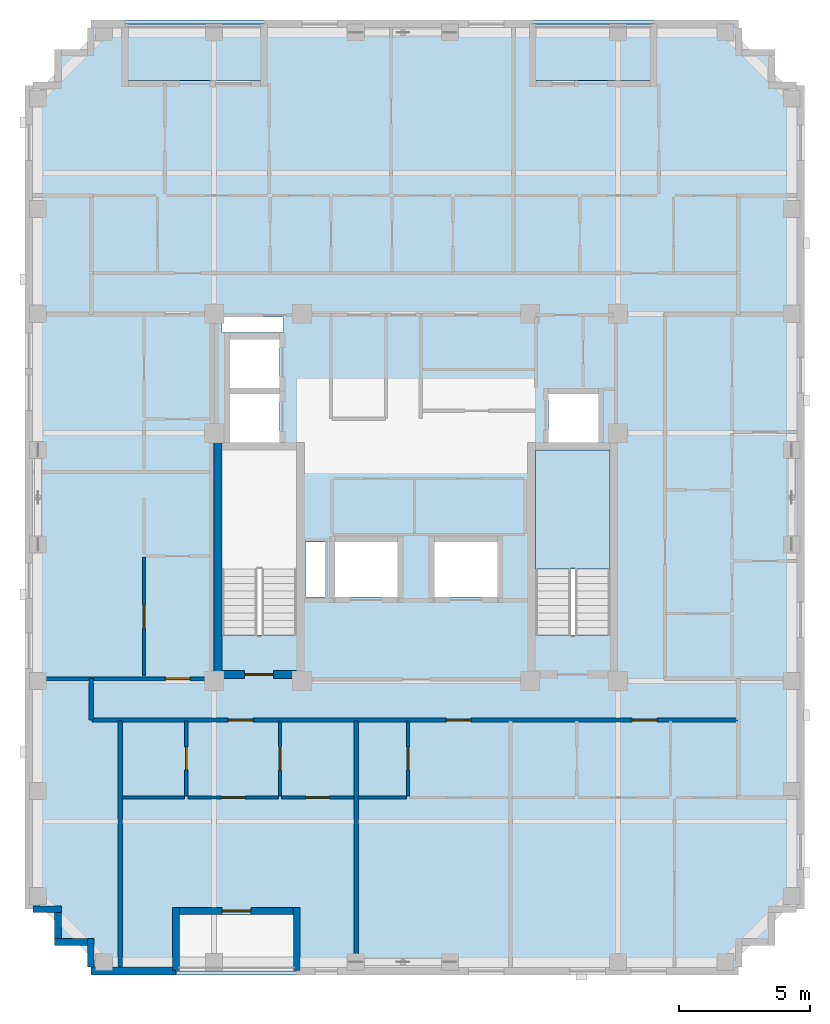
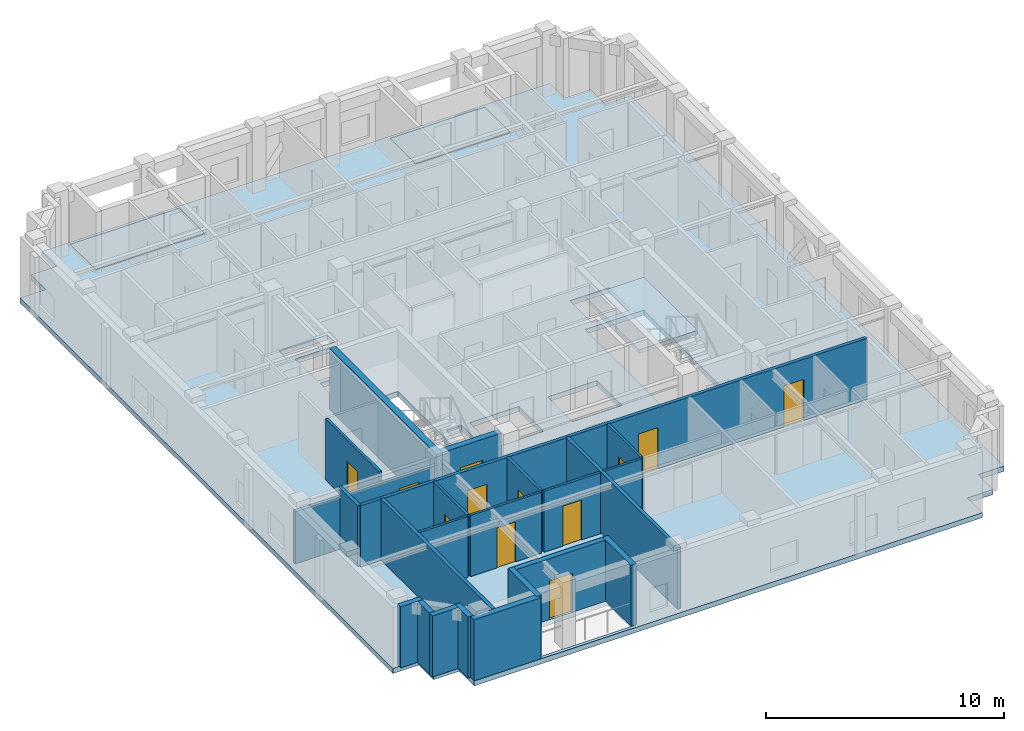
# One storey, part 2 of 11: 23 walls, 12 doors, 4 slabs, 12 openings, 1 element without a shape of its own.
"""IFC4 building model written with IfcOpenShell, lengths in metres."""

from ifc_helpers import new_model, si_unit, derived_unit, direction, frame, frame_2d, origin, place, context, subcontext, project, spatial, polyline, rectangle, outline, extrude, material, layer, layer_set, type_object, element, fill, aggregate, save


model = new_model("IFC4")

# Units and contexts
model_context = context("Model", 3, precision=1e-05, world=origin(), true_north=direction((0.0, 1.0)))
body_context = subcontext(model_context, "Body", "Model", "MODEL_VIEW")
ifc_project = project(units=[si_unit("LENGTHUNIT", "METRE"), si_unit("AREAUNIT", "SQUARE_METRE"), si_unit("VOLUMEUNIT", "CUBIC_METRE"), si_unit("PLANEANGLEUNIT", "RADIAN"), si_unit("MASSUNIT", "GRAM", prefix="KILO"), derived_unit("THERMALTRANSMITTANCEUNIT", [(si_unit("MASSUNIT", "GRAM", prefix="KILO"), 1), (si_unit("TIMEUNIT", "SECOND"), -3), (si_unit("THERMODYNAMICTEMPERATUREUNIT", "KELVIN"), -1)])], contexts=[model_context])

# Site, building, storey
site_placement = place(None, origin())
site = spatial("IfcSite", under=ifc_project, at=site_placement, CompositionType="ELEMENT")
building_placement = place(site_placement, origin())
building = spatial("IfcBuilding", under=site, at=building_placement, Name="Korrvale Station Residences", CompositionType="ELEMENT")
storey_placement = place(building_placement, frame((0.0, 0.0, 254.699951171875)))
storey = spatial("IfcBuildingStorey", under=building, at=storey_placement, Name="L74", CompositionType="ELEMENT", Elevation=254.699951171875)

# Slabs
ifc_material_1 = material(Name="Concrete C50/60", Category="concrete")
ifc_layer_1 = layer(ifc_material_1, 0.219970703125, Name="Concrete C50/60")
ifc_layer_set_1 = layer_set([ifc_layer_1], Name="Concrete C50/60")
slab_type_1 = type_object("IfcSlabType", Name="SLB-BAL-220", PredefinedType="FLOOR", material=ifc_layer_set_1)
slab_1_placement = place(storey_placement, frame((0.0, 0.0, -0.219970703125)))
element("IfcSlab", 1, at=slab_1_placement, inside=storey, type_object=slab_type_1, Name="L74 Recessed Loggia Balcony Slab BAL-L74-N1", PredefinedType="FLOOR", context=body_context, shape_type="SweptSolid", body=[
    extrude(outline(polyline([(29.949951171875, 37.89990234375), (34.550048828125, 37.89990234375), (34.550048828125, 40.050048828125), (29.949951171875, 40.050048828125), (29.949951171875, 37.89990234375)])), origin(), (0.0, 0.0, 1.0), 0.219970703125),
])
slab_2_placement = place(storey_placement, frame((0.0, 0.0, -0.219970703125)))
element("IfcSlab", 2, at=slab_2_placement, inside=storey, type_object=slab_type_1, Name="L74 Recessed Loggia Balcony Slab BAL-L74-N2", PredefinedType="FLOOR", context=body_context, shape_type="SweptSolid", body=[
    extrude(outline(polyline([(14.39990234375, 37.89990234375), (19.699951171875, 37.89990234375), (19.699951171875, 40.050048828125), (14.39990234375, 40.050048828125), (14.39990234375, 37.89990234375)])), origin(), (0.0, 0.0, 1.0), 0.219970703125),
])
ifc_layer_2 = layer(ifc_material_1, 0.260009765625, Name="Concrete C50/60")
ifc_layer_set_2 = layer_set([ifc_layer_2], Name="Concrete C50/60")
slab_type_2 = type_object("IfcSlabType", Name="SLB-FLR-260", PredefinedType="FLOOR", material=ifc_layer_set_2)
slab_3_placement = place(storey_placement, frame((0.0, 0.0, -0.260009765625)))
element("IfcSlab", 3, at=slab_3_placement, inside=storey, type_object=slab_type_2, Name="L74 Suspended Structural Floor Slab", PredefinedType="FLOOR", context=body_context, shape_type="SweptSolid", body=[
    extrude(outline(polyline([(13.10009765625, 3.800048828125), (37.800048828125, 3.800048828125), (37.800048828125, 5.050048828125), (39.050048828125, 5.050048828125), (39.050048828125, 6.300048828125), (40.300048828125, 6.300048828125), (40.300048828125, 37.699951171875), (39.050048828125, 37.699951171875), (39.050048828125, 38.949951171875), (37.800048828125, 38.949951171875), (37.800048828125, 40.199951171875), (13.10009765625, 40.199951171875), (13.10009765625, 38.949951171875), (11.85009765625, 38.949951171875), (11.85009765625, 37.699951171875), (10.60009765625, 37.699951171875), (10.60009765625, 6.300048828125), (11.85009765625, 6.300048828125), (11.85009765625, 5.050048828125), (13.10009765625, 5.050048828125), (13.10009765625, 3.800048828125)]), holes=[polyline([(20.949951171875, 16.751953125), (20.949951171875, 23.800048828125), (18.10009765625, 23.800048828125), (18.10009765625, 16.751953125), (20.949951171875, 16.751953125)]), polyline([(32.89990234375, 16.751953125), (32.89990234375, 23.800048828125), (30.050048828125, 23.800048828125), (30.050048828125, 16.751953125), (32.89990234375, 16.751953125)]), polyline([(18.39990234375, 24.10009765625), (20.300048828125, 24.10009765625), (20.300048828125, 25.949951171875), (18.39990234375, 25.949951171875), (18.39990234375, 24.10009765625)]), polyline([(18.39990234375, 26.169921875), (20.300048828125, 26.169921875), (20.300048828125, 28.02001953125), (18.39990234375, 28.02001953125), (18.39990234375, 26.169921875)]), polyline([(30.550048828125, 24.10009765625), (32.449951171875, 24.10009765625), (32.449951171875, 25.949951171875), (30.550048828125, 25.949951171875), (30.550048828125, 24.10009765625)]), polyline([(22.39990234375, 18.199951171875), (24.800048828125, 18.199951171875), (24.800048828125, 20.300048828125), (22.39990234375, 20.300048828125), (22.39990234375, 18.199951171875)]), polyline([(26.199951171875, 18.199951171875), (28.60009765625, 18.199951171875), (28.60009765625, 20.300048828125), (26.199951171875, 20.300048828125), (26.199951171875, 18.199951171875)]), polyline([(18.10009765625, 28.280029296875), (20.449951171875, 28.280029296875), (20.449951171875, 28.8798828125), (18.10009765625, 28.8798828125), (18.10009765625, 28.280029296875)]), polyline([(21.280029296875, 18.199951171875), (22.02001953125, 18.199951171875), (22.02001953125, 20.300048828125), (21.280029296875, 20.300048828125), (21.280029296875, 18.199951171875)]), polyline([(16.35009765625, 3.949951171875), (20.949951171875, 3.949951171875), (20.949951171875, 6.10009765625), (16.35009765625, 6.10009765625), (16.35009765625, 3.949951171875)]), polyline([(29.949951171875, 37.89990234375), (34.550048828125, 37.89990234375), (34.550048828125, 40.050048828125), (29.949951171875, 40.050048828125), (29.949951171875, 37.89990234375)]), polyline([(14.39990234375, 37.89990234375), (19.699951171875, 37.89990234375), (19.699951171875, 40.050048828125), (14.39990234375, 40.050048828125), (14.39990234375, 37.89990234375)])]), origin(), (0.0, 0.0, 1.0), 0.260009765625),
])

# Stair, slab
stair_type = type_object("IfcStairType", Name="STR-DL-1350-20R-1700", PredefinedType="HALF_TURN_STAIR", material=ifc_material_1)
stair_placement = place(storey_placement, origin())
stair = element("IfcStair", 4, at=stair_placement, inside=storey, type_object=stair_type, Name="L74 Exit Stair 2", PredefinedType="HALF_TURN_STAIR")
ifc_layer_3 = layer(ifc_material_1, 0.199951171875, Name="Concrete C50/60")
ifc_layer_set_3 = layer_set([ifc_layer_3], Name="Concrete C50/60")
slab_type_3 = type_object("IfcSlabType", Name="SLB-LND-200", PredefinedType="LANDING", material=ifc_layer_set_3)
slab_4_placement = place(storey_placement, frame((0.0, 0.0, 1.5)))
slab_4 = element("IfcSlab", 5, at=slab_4_placement, type_object=slab_type_3, Name="ST-2 landing 1", PredefinedType="LANDING", context=body_context, shape_type="SweptSolid", body=[
    extrude(outline(polyline([(32.89990234375, 19.27001953125), (32.89990234375, 23.800048828125), (30.050048828125, 23.800048828125), (30.050048828125, 19.27001953125), (32.89990234375, 19.27001953125)])), origin(), (0.0, 0.0, 1.0), 0.199951171875),
])
aggregate(stair, [slab_4])

# Wall
ifc_layer_4 = layer(ifc_material_1, 0.300048828125, Name="Concrete C50/60")
ifc_layer_set_4 = layer_set([ifc_layer_4], Name="Concrete C50/60")
wall_type_1 = type_object("IfcWallType", Name="WAL-CORE-300-C50", PredefinedType="SHEAR", material=ifc_layer_set_4)
wall_1_placement = place(storey_placement, frame((17.949951171875, 15.10009765625, 0.0), z_axis=(0.0, 0.0, 1.0), x_axis=(0.0, 1.0, 0.0)))
element("IfcWall", 6, at=wall_1_placement, inside=storey, type_object=wall_type_1, Name="L74 ST-1 Core Shear Wall West", PredefinedType="SHEAR", context=body_context, shape_type="SweptSolid", body=[
    extrude(rectangle(XDim=9.0, YDim=0.300048828125, at=frame_2d((4.5, 0.0))), origin(), (0.0, 0.0, 1.0), 3.14013671875),
])

# Wall, opening, door
wall_2_placement = place(storey_placement, frame((18.10009765625, 15.25, 0.0), z_axis=(0.0, 0.0, 1.0), x_axis=(1.0, 0.0, 0.0)))
wall_2 = element("IfcWall", 7, at=wall_2_placement, inside=storey, type_object=wall_type_1, Name="L74 ST-1 Core Shear Wall South", PredefinedType="SHEAR", context=body_context, shape_type="SweptSolid", body=[
    extrude(rectangle(XDim=2.849853515625, YDim=0.300048828125, at=frame_2d((1.4248046875, 0.0))), origin(), (0.0, 0.0, 1.0), 3.14013671875),
])
opening_1_placement = place(wall_2_placement, frame((0.860107421875, 0.0, 0.0)))
opening_1 = element("IfcOpeningElement", 8, at=opening_1_placement, cuts=wall_2, Name="Opening SD-1100", PredefinedType="OPENING", context=body_context, shape_type="SweptSolid", body=[
    extrude(rectangle(XDim=1.10009765625, YDim=2.050048828125, at=frame_2d((0.550048828125, 1.02490234375))), frame((0.0, 0.16015625, 0.0), z_axis=(0.0, -1.0, 0.0), x_axis=(1.0, 0.0, 0.0)), (0.0, 0.0, 1.0), 0.320068359375),
])
ifc_material_2 = material(Name="Hollow-metal fire-rated stair door with closer", Category="steel")
door_type_1 = type_object("IfcDoorType", Name="DR-STAIR-1100", OperationType="NOTDEFINED", PredefinedType="DOOR", material=ifc_material_2)
door_1_placement = place(opening_1_placement, origin())
door_1 = element("IfcDoor", 9, at=door_1_placement, inside=storey, type_object=door_type_1, Name="L74 ST-1 Exit Stair Door", OperationType="SINGLE_SWING_LEFT", OverallHeight=2.050048828125, OverallWidth=1.10009765625, PredefinedType="DOOR", context=body_context, shape_type="SweptSolid", body=[
    extrude(rectangle(XDim=1.10009765625, YDim=2.050048828125, at=frame_2d((0.550048828125, 1.02490234375))), frame((0.0, 0.02490234375, 0.0), z_axis=(0.0, -1.0, 0.0), x_axis=(1.0, 0.0, 0.0)), (0.0, 0.0, 1.0), 0.050048828125),
])
fill(opening_1, door_1)

# Wall
ifc_material_3 = material(Name="Precast concrete C45/55", Category="concrete")
ifc_layer_5 = layer(ifc_material_3, 0.260009765625, Name="Precast concrete C45/55")
ifc_layer_set_5 = layer_set([ifc_layer_5], Name="Precast concrete C45/55")
wall_type_2 = type_object("IfcWallType", Name="WAL-EXT-LOG260", PredefinedType="SOLIDWALL", material=ifc_layer_set_5)
wall_3_placement = place(storey_placement, frame((20.949951171875, 3.9599609375, 0.0), z_axis=(0.0, 0.0, 1.0), x_axis=(0.0, 1.0, 0.0)))
element("IfcWall", 10, at=wall_3_placement, inside=storey, type_object=wall_type_2, Name="L74 Recessed Loggia Wall BAL-L74-S1-L", PredefinedType="SOLIDWALL", context=body_context, shape_type="SweptSolid", body=[
    extrude(rectangle(XDim=2.400146484375, YDim=0.260009765625, at=frame_2d((1.2001953125, 0.0))), origin(), (0.0, 0.0, 1.0), 3.14013671875),
])

# Wall, opening, door
wall_4_placement = place(storey_placement, frame((20.81591796875, 6.22998046875, 0.0), z_axis=(0.0, 0.0, 1.0), x_axis=(-1.0, 0.0, 0.0)))
wall_4 = element("IfcWall", 11, at=wall_4_placement, inside=storey, type_object=wall_type_2, Name="L74 Recessed Loggia Wall BAL-L74-S1-B", PredefinedType="SOLIDWALL", context=body_context, shape_type="SweptSolid", body=[
    extrude(rectangle(XDim=4.33203125, YDim=0.260009765625, at=frame_2d((2.166015625, 0.0))), origin(), (0.0, 0.0, 1.0), 3.14013671875),
])
opening_2_placement = place(wall_4_placement, frame((1.615966796875, 0.0, 0.0)))
opening_2 = element("IfcOpeningElement", 12, at=opening_2_placement, cuts=wall_4, Name="Opening BD-01", PredefinedType="OPENING", context=body_context, shape_type="SweptSolid", body=[
    extrude(rectangle(XDim=1.10009765625, YDim=2.0, at=frame_2d((0.550048828125, 1.0))), frame((0.0, 0.14013671875, 0.0), z_axis=(0.0, -1.0, 0.0), x_axis=(1.0, 0.0, 0.0)), (0.0, 0.0, 1.0), 0.280029296875),
])
ifc_material_4 = material(Name="Exterior thermally broken aluminium glazed balcony door", Category="aluminium")
door_type_2 = type_object("IfcDoorType", Name="DR-EXT-BAL", OperationType="NOTDEFINED", PredefinedType="DOOR", material=ifc_material_4)
door_2_placement = place(opening_2_placement, origin())
door_2 = element("IfcDoor", 13, at=door_2_placement, inside=storey, type_object=door_type_2, Name="L74 Loggia Balcony Door BAL-L74-S1", OperationType="SINGLE_SWING_RIGHT", OverallHeight=2.0, OverallWidth=1.10009765625, PredefinedType="DOOR", context=body_context, shape_type="SweptSolid", body=[
    extrude(rectangle(XDim=1.10009765625, YDim=2.0, at=frame_2d((0.550048828125, 1.0))), frame((0.0, 0.02490234375, 0.0), z_axis=(0.0, -1.0, 0.0), x_axis=(1.0, 0.0, 0.0)), (0.0, 0.0, 1.0), 0.050048828125),
])
fill(opening_2, door_2)

# Walls
wall_5_placement = place(storey_placement, frame((16.35009765625, 6.360107421875, 0.0), z_axis=(0.0, 0.0, 1.0), x_axis=(0.0, -1.0, 0.0)))
element("IfcWall", 14, at=wall_5_placement, inside=storey, type_object=wall_type_2, Name="L74 Recessed Loggia Wall BAL-L74-S1-R", PredefinedType="SOLIDWALL", context=body_context, shape_type="SweptSolid", body=[
    extrude(rectangle(XDim=2.400146484375, YDim=0.260009765625, at=frame_2d((1.2001953125, 0.0))), origin(), (0.0, 0.0, 1.0), 3.14013671875),
])
wall_6_placement = place(storey_placement, frame((13.10009765625, 4.10205078125, 0.0), z_axis=(0.0, 0.0, 1.0), x_axis=(0.0, 1.0, 0.0)))
element("IfcWall", 15, at=wall_6_placement, inside=storey, type_object=wall_type_2, Name="L74 Serrated Corner Precast Step SW-1", PredefinedType="SOLIDWALL", context=body_context, shape_type="SweptSolid", body=[
    extrude(rectangle(XDim=1.077880859375, YDim=0.260009765625, at=frame_2d((0.5390625, 0.0))), origin(), (0.0, 0.0, 1.0), 3.14013671875),
])
wall_7_placement = place(storey_placement, frame((12.968017578125, 5.050048828125, 0.0), z_axis=(0.0, 0.0, 1.0), x_axis=(-1.0, 0.0, 0.0)))
element("IfcWall", 16, at=wall_7_placement, inside=storey, type_object=wall_type_2, Name="L74 Serrated Corner Precast Step SW-2", PredefinedType="SOLIDWALL", context=body_context, shape_type="SweptSolid", body=[
    extrude(rectangle(XDim=1.248046875, YDim=0.260009765625, at=frame_2d((0.6240234375, 0.0))), origin(), (0.0, 0.0, 1.0), 3.14013671875),
])
wall_8_placement = place(storey_placement, frame((11.85009765625, 5.181884765625, 0.0), z_axis=(0.0, 0.0, 1.0), x_axis=(0.0, 1.0, 0.0)))
element("IfcWall", 17, at=wall_8_placement, inside=storey, type_object=wall_type_2, Name="L74 Serrated Corner Precast Step SW-3", PredefinedType="SOLIDWALL", context=body_context, shape_type="SweptSolid", body=[
    extrude(rectangle(XDim=0.986083984375, YDim=0.260009765625, at=frame_2d((0.4931640625, 0.0))), origin(), (0.0, 0.0, 1.0), 3.14013671875),
])
wall_9_placement = place(storey_placement, frame((11.97998046875, 6.300048828125, 0.0), z_axis=(0.0, 0.0, 1.0), x_axis=(-1.0, 0.0, 0.0)))
element("IfcWall", 18, at=wall_9_placement, inside=storey, type_object=wall_type_2, Name="L74 Serrated Corner Precast Step SW-4", PredefinedType="SOLIDWALL", context=body_context, shape_type="SweptSolid", body=[
    extrude(rectangle(XDim=1.077880859375, YDim=0.260009765625, at=frame_2d((0.5390625, 0.0))), origin(), (0.0, 0.0, 1.0), 3.14013671875),
])
ifc_layer_6 = layer(ifc_material_3, 0.300048828125, Name="Precast concrete C45/55")
ifc_layer_set_6 = layer_set([ifc_layer_6], Name="Precast concrete C45/55")
wall_type_3 = type_object("IfcWallType", Name="WAL-EXT-PC300", PredefinedType="SOLIDWALL", material=ifc_layer_set_6)
wall_10_placement = place(storey_placement, frame((16.35009765625, 3.949951171875, 0.0), z_axis=(0.0, 0.0, 1.0), x_axis=(-1.0, 0.0, 0.0)))
element("IfcWall", 19, at=wall_10_placement, inside=storey, type_object=wall_type_3, Name="L74 South Exterior Precast Wall 2", PredefinedType="SOLIDWALL", context=body_context, shape_type="SweptSolid", body=[
    extrude(rectangle(XDim=3.25, YDim=0.300048828125, at=frame_2d((1.625, 0.0))), origin(), (0.0, 0.0, 1.0), 3.14013671875),
])

# Wall, opening, door
ifc_material_5 = material(Name="Acoustic steel-stud gypsum board partition", Category="steel")
ifc_layer_7 = layer(ifc_material_5, 0.1201171875, Name="Acoustic steel-stud gypsum board partition")
ifc_layer_set_7 = layer_set([ifc_layer_7], Name="Acoustic steel-stud gypsum board partition")
wall_type_4 = type_object("IfcWallType", Name="WAL-PART-125", PredefinedType="PARTITIONING", material=ifc_layer_set_7)
wall_11_placement = place(storey_placement, frame((16.739990234375, 10.6201171875, 0.0), z_axis=(0.0, 0.0, 1.0), x_axis=(0.0, 1.0, 0.0)))
wall_11 = element("IfcWall", 20, at=wall_11_placement, inside=storey, type_object=wall_type_4, Name="L74 Suite Partition U01-V01", PredefinedType="PARTITIONING", context=body_context, shape_type="SweptSolid", body=[
    extrude(rectangle(XDim=2.849853515625, YDim=0.1201171875, at=frame_2d((1.4248046875, 0.0))), origin(), (0.0, 0.0, 1.0), 3.14013671875),
])
opening_3_placement = place(wall_11_placement, frame((0.9951171875, 0.0, 0.0)))
opening_3 = element("IfcOpeningElement", 21, at=opening_3_placement, cuts=wall_11, Name="Opening DB-860", PredefinedType="OPENING", context=body_context, shape_type="SweptSolid", body=[
    extrude(rectangle(XDim=0.860107421875, YDim=2.050048828125, at=frame_2d((0.43017578125, 1.02490234375))), frame((0.0, 0.070068359375, 0.0), z_axis=(0.0, -1.0, 0.0), x_axis=(1.0, 0.0, 0.0)), (0.0, 0.0, 1.0), 0.14013671875),
])
ifc_material_6 = material(Name="Moisture-resistant solid-core bathroom door", Category="timber")
door_type_3 = type_object("IfcDoorType", Name="DR-BATH-860", OperationType="NOTDEFINED", PredefinedType="DOOR", material=ifc_material_6)
door_3_placement = place(opening_3_placement, origin())
door_3 = element("IfcDoor", 22, at=door_3_placement, inside=storey, type_object=door_type_3, Name="L74 Studio Apartment L74-U01 Bathroom Door", OperationType="SINGLE_SWING_LEFT", OverallHeight=2.050048828125, OverallWidth=0.860107421875, PredefinedType="DOOR", context=body_context, shape_type="SweptSolid", body=[
    extrude(rectangle(XDim=0.860107421875, YDim=2.050048828125, at=frame_2d((0.43017578125, 1.02490234375))), frame((0.0, 0.02490234375, 0.0), z_axis=(0.0, -1.0, 0.0), x_axis=(1.0, 0.0, 0.0)), (0.0, 0.0, 1.0), 0.050048828125),
])
fill(opening_3, door_3)

# Wall
wall_12_placement = place(storey_placement, frame((14.280029296875, 10.56005859375, 0.0), z_axis=(0.0, 0.0, 1.0), x_axis=(1.0, 0.0, 0.0)))
element("IfcWall", 23, at=wall_12_placement, inside=storey, type_object=wall_type_4, Name="L74 Suite Partition U01-H03", PredefinedType="PARTITIONING", context=body_context, shape_type="SweptSolid", body=[
    extrude(rectangle(XDim=2.39990234375, YDim=0.1201171875, at=frame_2d((1.199951171875, 0.0))), origin(), (0.0, 0.0, 1.0), 3.14013671875),
])

# Wall, opening, door
wall_13_placement = place(storey_placement, frame((20.31005859375, 10.6201171875, 0.0), z_axis=(0.0, 0.0, 1.0), x_axis=(0.0, 1.0, 0.0)))
wall_13 = element("IfcWall", 24, at=wall_13_placement, inside=storey, type_object=wall_type_4, Name="L74 Suite Partition U01-V12", PredefinedType="PARTITIONING", context=body_context, shape_type="SweptSolid", body=[
    extrude(rectangle(XDim=2.849853515625, YDim=0.1201171875, at=frame_2d((1.4248046875, 0.0))), origin(), (0.0, 0.0, 1.0), 3.14013671875),
])
opening_4_placement = place(wall_13_placement, frame((0.97509765625, 0.0, 0.0)))
opening_4 = element("IfcOpeningElement", 25, at=opening_4_placement, cuts=wall_13, Name="Opening DI-900", PredefinedType="OPENING", context=body_context, shape_type="SweptSolid", body=[
    extrude(rectangle(XDim=0.89990234375, YDim=2.050048828125, at=frame_2d((0.449951171875, 1.02490234375))), frame((0.0, 0.070068359375, 0.0), z_axis=(0.0, -1.0, 0.0), x_axis=(1.0, 0.0, 0.0)), (0.0, 0.0, 1.0), 0.14013671875),
])
ifc_material_7 = material(Name="Painted solid-core timber interior room door", Category="wood")
door_type_4 = type_object("IfcDoorType", Name="DR-INT-900", OperationType="NOTDEFINED", PredefinedType="DOOR", material=ifc_material_7)
door_4_placement = place(opening_4_placement, origin())
door_4 = element("IfcDoor", 26, at=door_4_placement, inside=storey, type_object=door_type_4, Name="L74 Studio Apartment L74-U01 Kitchen Door", OperationType="SINGLE_SWING_RIGHT", OverallHeight=2.050048828125, OverallWidth=0.89990234375, PredefinedType="DOOR", context=body_context, shape_type="SweptSolid", body=[
    extrude(rectangle(XDim=0.89990234375, YDim=2.050048828125, at=frame_2d((0.449951171875, 1.02490234375))), frame((0.0, 0.02490234375, 0.0), z_axis=(0.0, -1.0, 0.0), x_axis=(1.0, 0.0, 0.0)), (0.0, 0.0, 1.0), 0.050048828125),
])
fill(opening_4, door_4)

wall_14_placement = place(storey_placement, frame((16.800048828125, 10.56005859375, 0.0), z_axis=(0.0, 0.0, 1.0), x_axis=(1.0, 0.0, 0.0)))
wall_14 = element("IfcWall", 27, at=wall_14_placement, inside=storey, type_object=wall_type_4, Name="L74 Suite Partition U01-H13", PredefinedType="PARTITIONING", context=body_context, shape_type="SweptSolid", body=[
    extrude(rectangle(XDim=3.449951171875, YDim=0.1201171875, at=frame_2d((1.72509765625, 0.0))), origin(), (0.0, 0.0, 1.0), 3.14013671875),
])
opening_5_placement = place(wall_14_placement, frame((1.27490234375, 0.0, 0.0)))
opening_5 = element("IfcOpeningElement", 28, at=opening_5_placement, cuts=wall_14, Name="Opening DI-900", PredefinedType="OPENING", context=body_context, shape_type="SweptSolid", body=[
    extrude(rectangle(XDim=0.89990234375, YDim=2.050048828125, at=frame_2d((0.449951171875, 1.02490234375))), frame((0.0, 0.070068359375, 0.0), z_axis=(0.0, -1.0, 0.0), x_axis=(1.0, 0.0, 0.0)), (0.0, 0.0, 1.0), 0.14013671875),
])
door_5_placement = place(opening_5_placement, origin())
door_5 = element("IfcDoor", 29, at=door_5_placement, inside=storey, type_object=door_type_4, Name="L74 Studio Apartment L74-U01 Kitchen Door", OperationType="SINGLE_SWING_LEFT", OverallHeight=2.050048828125, OverallWidth=0.89990234375, PredefinedType="DOOR", context=body_context, shape_type="SweptSolid", body=[
    extrude(rectangle(XDim=0.89990234375, YDim=2.050048828125, at=frame_2d((0.449951171875, 1.02490234375))), frame((0.0, 0.02490234375, 0.0), z_axis=(0.0, -1.0, 0.0), x_axis=(1.0, 0.0, 0.0)), (0.0, 0.0, 1.0), 0.050048828125),
])
fill(opening_5, door_5)

wall_15_placement = place(storey_placement, frame((20.3701171875, 10.56005859375, 0.0), z_axis=(0.0, 0.0, 1.0), x_axis=(1.0, 0.0, 0.0)))
wall_15 = element("IfcWall", 30, at=wall_15_placement, inside=storey, type_object=wall_type_4, Name="L74 Suite Partition U01-H23", PredefinedType="PARTITIONING", context=body_context, shape_type="SweptSolid", body=[
    extrude(rectangle(XDim=2.75, YDim=0.1201171875, at=frame_2d((1.375, 0.0))), origin(), (0.0, 0.0, 1.0), 3.14013671875),
])
opening_6_placement = place(wall_15_placement, frame((0.925048828125, 0.0, 0.0)))
opening_6 = element("IfcOpeningElement", 31, at=opening_6_placement, cuts=wall_15, Name="Opening DI-900", PredefinedType="OPENING", context=body_context, shape_type="SweptSolid", body=[
    extrude(rectangle(XDim=0.89990234375, YDim=2.050048828125, at=frame_2d((0.449951171875, 1.02490234375))), frame((0.0, 0.070068359375, 0.0), z_axis=(0.0, -1.0, 0.0), x_axis=(1.0, 0.0, 0.0)), (0.0, 0.0, 1.0), 0.14013671875),
])
door_6_placement = place(opening_6_placement, origin())
door_6 = element("IfcDoor", 32, at=door_6_placement, inside=storey, type_object=door_type_4, Name="L74 Studio Apartment L74-U01 Utility and Laundry Room Door", OperationType="SINGLE_SWING_RIGHT", OverallHeight=2.050048828125, OverallWidth=0.89990234375, PredefinedType="DOOR", context=body_context, shape_type="SweptSolid", body=[
    extrude(rectangle(XDim=0.89990234375, YDim=2.050048828125, at=frame_2d((0.449951171875, 1.02490234375))), frame((0.0, 0.02490234375, 0.0), z_axis=(0.0, -1.0, 0.0), x_axis=(1.0, 0.0, 0.0)), (0.0, 0.0, 1.0), 0.050048828125),
])
fill(opening_6, door_6)

wall_16_placement = place(storey_placement, frame((25.18994140625, 10.6201171875, 0.0), z_axis=(0.0, 0.0, 1.0), x_axis=(0.0, 1.0, 0.0)))
wall_16 = element("IfcWall", 33, at=wall_16_placement, inside=storey, type_object=wall_type_4, Name="L74 Suite Partition U02-V01", PredefinedType="PARTITIONING", context=body_context, shape_type="SweptSolid", body=[
    extrude(rectangle(XDim=2.849853515625, YDim=0.1201171875, at=frame_2d((1.4248046875, 0.0))), origin(), (0.0, 0.0, 1.0), 3.14013671875),
])
opening_7_placement = place(wall_16_placement, frame((0.9951171875, 0.0, 0.0)))
opening_7 = element("IfcOpeningElement", 34, at=opening_7_placement, cuts=wall_16, Name="Opening DB-860", PredefinedType="OPENING", context=body_context, shape_type="SweptSolid", body=[
    extrude(rectangle(XDim=0.860107421875, YDim=2.050048828125, at=frame_2d((0.43017578125, 1.02490234375))), frame((0.0, 0.070068359375, 0.0), z_axis=(0.0, -1.0, 0.0), x_axis=(1.0, 0.0, 0.0)), (0.0, 0.0, 1.0), 0.14013671875),
])
door_7_placement = place(opening_7_placement, origin())
door_7 = element("IfcDoor", 35, at=door_7_placement, inside=storey, type_object=door_type_3, Name="L74 Studio Apartment L74-U02 Bathroom Door", OperationType="SINGLE_SWING_LEFT", OverallHeight=2.050048828125, OverallWidth=0.860107421875, PredefinedType="DOOR", context=body_context, shape_type="SweptSolid", body=[
    extrude(rectangle(XDim=0.860107421875, YDim=2.050048828125, at=frame_2d((0.43017578125, 1.02490234375))), frame((0.0, 0.02490234375, 0.0), z_axis=(0.0, -1.0, 0.0), x_axis=(1.0, 0.0, 0.0)), (0.0, 0.0, 1.0), 0.050048828125),
])
fill(opening_7, door_7)

# Wall
wall_17_placement = place(storey_placement, frame((23.280029296875, 10.56005859375, 0.0), z_axis=(0.0, 0.0, 1.0), x_axis=(1.0, 0.0, 0.0)))
element("IfcWall", 36, at=wall_17_placement, inside=storey, type_object=wall_type_4, Name="L74 Suite Partition U02-H02", PredefinedType="PARTITIONING", context=body_context, shape_type="SweptSolid", body=[
    extrude(rectangle(XDim=1.849853515625, YDim=0.1201171875, at=frame_2d((0.9248046875, 0.0))), origin(), (0.0, 0.0, 1.0), 3.14013671875),
])

# Wall, opening, door
wall_18_placement = place(storey_placement, frame((15.1298828125, 15.2099609375, 0.0), z_axis=(0.0, 0.0, 1.0), x_axis=(0.0, 1.0, 0.0)))
wall_18 = element("IfcWall", 37, at=wall_18_placement, inside=storey, type_object=wall_type_4, Name="L74 Suite Partition U06-V12", PredefinedType="PARTITIONING", context=body_context, shape_type="SweptSolid", body=[
    extrude(rectangle(XDim=4.5, YDim=0.1201171875, at=frame_2d((2.25, 0.0))), origin(), (0.0, 0.0, 1.0), 3.14013671875),
])
opening_8_placement = place(wall_18_placement, frame((1.800048828125, 0.0, 0.0)))
opening_8 = element("IfcOpeningElement", 38, at=opening_8_placement, cuts=wall_18, Name="Opening DI-900", PredefinedType="OPENING", context=body_context, shape_type="SweptSolid", body=[
    extrude(rectangle(XDim=0.89990234375, YDim=2.050048828125, at=frame_2d((0.449951171875, 1.02490234375))), frame((0.0, 0.070068359375, 0.0), z_axis=(0.0, -1.0, 0.0), x_axis=(1.0, 0.0, 0.0)), (0.0, 0.0, 1.0), 0.14013671875),
])
door_8_placement = place(opening_8_placement, origin())
door_8 = element("IfcDoor", 39, at=door_8_placement, inside=storey, type_object=door_type_4, Name="L74 Studio Apartment L74-U06 Kitchen Door", OperationType="SINGLE_SWING_RIGHT", OverallHeight=2.050048828125, OverallWidth=0.89990234375, PredefinedType="DOOR", context=body_context, shape_type="SweptSolid", body=[
    extrude(rectangle(XDim=0.89990234375, YDim=2.050048828125, at=frame_2d((0.449951171875, 1.02490234375))), frame((0.0, 0.02490234375, 0.0), z_axis=(0.0, -1.0, 0.0), x_axis=(1.0, 0.0, 0.0)), (0.0, 0.0, 1.0), 0.050048828125),
])
fill(opening_8, door_8)

# Walls
ifc_material_8 = material(Name="Fire-rated twin-stud gypsum and mineral wool shaftwall assembly", Category="gypsum")
ifc_layer_8 = layer(ifc_material_8, 0.159912109375, Name="Fire-rated twin-stud gypsum and mineral wool shaftwall assembly")
ifc_layer_set_8 = layer_set([ifc_layer_8], Name="Fire-rated twin-stud gypsum and mineral wool shaftwall assembly")
wall_type_5 = type_object("IfcWallType", Name="WAL-PART-200", PredefinedType="PARTITIONING", material=ifc_layer_set_8)
wall_19_placement = place(storey_placement, frame((13.1201171875, 13.510009765625, 0.0), z_axis=(0.0, 0.0, 1.0), x_axis=(0.0, 1.0, 0.0)))
element("IfcWall", 40, at=wall_19_placement, inside=storey, type_object=wall_type_5, Name="L74 Corridor South West Cap", PredefinedType="PARTITIONING", context=body_context, shape_type="SweptSolid", body=[
    extrude(rectangle(XDim=1.580078125, YDim=0.159912109375, at=frame_2d((0.7900390625, 0.0))), origin(), (0.0, 0.0, 1.0), 3.14013671875),
])
for number, where, z_axis, x_axis, name in (
    (41, (14.219970703125, 4.080078125, 0.0), (0.0, 0.0, 1.0), (0.0, 1.0, 0.0), "L74 Demising Wall U01-W"),
    (42, (23.219970703125, 4.080078125, 0.0), (0.0, 0.0, 1.0), (0.0, 1.0, 0.0), "L74 Demising Wall U02-W"),
):
    element("IfcWall", number, at=place(storey_placement, frame(where, z_axis=z_axis, x_axis=x_axis)), inside=storey, type_object=wall_type_5, Name=name, PredefinedType="PARTITIONING", context=body_context, shape_type="SweptSolid", body=[
        extrude(rectangle(XDim=9.389892578125, YDim=0.159912109375, at=frame_2d((4.69482421875, 0.0))), origin(), (0.0, 0.0, 1.0), 3.14013671875),
    ])

# Wall, opening, door
wall_20_placement = place(storey_placement, frame((10.8798828125, 15.080078125, 0.0), z_axis=(0.0, 0.0, 1.0), x_axis=(1.0, 0.0, 0.0)))
wall_20 = element("IfcWall", 43, at=wall_20_placement, inside=storey, type_object=wall_type_5, Name="L74 Side Suite South Entry Wall U06", PredefinedType="PARTITIONING", context=body_context, shape_type="SweptSolid", body=[
    extrude(rectangle(XDim=6.880126953125, YDim=0.159912109375, at=frame_2d((3.43994140625, 0.0))), origin(), (0.0, 0.0, 1.0), 2.66796875),
])
opening_9_placement = place(wall_20_placement, frame((5.06005859375, 0.0, 0.0)))
opening_9 = element("IfcOpeningElement", 44, at=opening_9_placement, cuts=wall_20, Name="Opening UD-950", PredefinedType="OPENING", context=body_context, shape_type="SweptSolid", body=[
    extrude(rectangle(XDim=0.949951171875, YDim=2.10009765625, at=frame_2d((0.47509765625, 1.050048828125))), frame((0.0, 0.08984375, 0.0), z_axis=(0.0, -1.0, 0.0), x_axis=(1.0, 0.0, 0.0)), (0.0, 0.0, 1.0), 0.179931640625),
])
ifc_material_9 = material(Name="Solid-core acoustic oak apartment entrance door", Category="timber")
door_type_5 = type_object("IfcDoorType", Name="DR-UNIT-950", OperationType="NOTDEFINED", PredefinedType="DOOR", material=ifc_material_9)
door_9_placement = place(opening_9_placement, origin())
door_9 = element("IfcDoor", 45, at=door_9_placement, inside=storey, type_object=door_type_5, Name="L74 Apartment L74-U06 Entrance Door", OperationType="SINGLE_SWING_RIGHT", OverallHeight=2.10009765625, OverallWidth=0.949951171875, PredefinedType="DOOR", context=body_context, shape_type="SweptSolid", body=[
    extrude(rectangle(XDim=0.949951171875, YDim=2.10009765625, at=frame_2d((0.47509765625, 1.050048828125))), frame((0.0, 0.02490234375, 0.0), z_axis=(0.0, -1.0, 0.0), x_axis=(1.0, 0.0, 0.0)), (0.0, 0.0, 1.0), 0.050048828125),
])
fill(opening_9, door_9)

# Wall, openings, doors
wall_21_placement = place(storey_placement, frame((13.14990234375, 13.510009765625, 0.0), z_axis=(0.0, 0.0, 1.0), x_axis=(1.0, 0.0, 0.0)))
wall_21 = element("IfcWall", 46, at=wall_21_placement, inside=storey, type_object=wall_type_5, Name="L74 Rated Corridor Wall S", PredefinedType="PARTITIONING", context=body_context, shape_type="SweptSolid", body=[
    extrude(rectangle(XDim=24.60009765625, YDim=0.159912109375, at=frame_2d((12.300048828125, 0.0))), origin(), (0.0, 0.0, 1.0), 3.14013671875),
])
opening_10_placement = place(wall_21_placement, frame((5.18505859375, 0.0, 0.0)))
opening_10 = element("IfcOpeningElement", 47, at=opening_10_placement, cuts=wall_21, Name="Opening UD-950", PredefinedType="OPENING", context=body_context, shape_type="SweptSolid", body=[
    extrude(rectangle(XDim=0.949951171875, YDim=2.10009765625, at=frame_2d((0.47509765625, 1.050048828125))), frame((0.0, 0.08984375, 0.0), z_axis=(0.0, -1.0, 0.0), x_axis=(1.0, 0.0, 0.0)), (0.0, 0.0, 1.0), 0.179931640625),
])
opening_11_placement = place(wall_21_placement, frame((13.5029296875, 0.0, 0.0)))
opening_11 = element("IfcOpeningElement", 48, at=opening_11_placement, cuts=wall_21, Name="Opening UD-950", PredefinedType="OPENING", context=body_context, shape_type="SweptSolid", body=[
    extrude(rectangle(XDim=0.949951171875, YDim=2.10009765625, at=frame_2d((0.47509765625, 1.050048828125))), frame((0.0, 0.08984375, 0.0), z_axis=(0.0, -1.0, 0.0), x_axis=(1.0, 0.0, 0.0)), (0.0, 0.0, 1.0), 0.179931640625),
])
opening_12_placement = place(wall_21_placement, frame((20.5849609375, 0.0, 0.0)))
opening_12 = element("IfcOpeningElement", 49, at=opening_12_placement, cuts=wall_21, Name="Opening UD-950", PredefinedType="OPENING", context=body_context, shape_type="SweptSolid", body=[
    extrude(rectangle(XDim=0.949951171875, YDim=2.10009765625, at=frame_2d((0.47509765625, 1.050048828125))), frame((0.0, 0.08984375, 0.0), z_axis=(0.0, -1.0, 0.0), x_axis=(1.0, 0.0, 0.0)), (0.0, 0.0, 1.0), 0.179931640625),
])
door_10_placement = place(opening_10_placement, origin())
door_10 = element("IfcDoor", 50, at=door_10_placement, inside=storey, type_object=door_type_5, Name="L74 Apartment L74-U01 Entrance Door", OperationType="SINGLE_SWING_RIGHT", OverallHeight=2.10009765625, OverallWidth=0.949951171875, PredefinedType="DOOR", context=body_context, shape_type="SweptSolid", body=[
    extrude(rectangle(XDim=0.949951171875, YDim=2.10009765625, at=frame_2d((0.47509765625, 1.050048828125))), frame((0.0, 0.02490234375, 0.0), z_axis=(0.0, -1.0, 0.0), x_axis=(1.0, 0.0, 0.0)), (0.0, 0.0, 1.0), 0.050048828125),
])
fill(opening_10, door_10)
door_11_placement = place(opening_11_placement, origin())
door_11 = element("IfcDoor", 51, at=door_11_placement, inside=storey, type_object=door_type_5, Name="L74 Apartment L74-U02 Entrance Door", OperationType="SINGLE_SWING_LEFT", OverallHeight=2.10009765625, OverallWidth=0.949951171875, PredefinedType="DOOR", context=body_context, shape_type="SweptSolid", body=[
    extrude(rectangle(XDim=0.949951171875, YDim=2.10009765625, at=frame_2d((0.47509765625, 1.050048828125))), frame((0.0, 0.02490234375, 0.0), z_axis=(0.0, -1.0, 0.0), x_axis=(1.0, 0.0, 0.0)), (0.0, 0.0, 1.0), 0.050048828125),
])
fill(opening_11, door_11)
door_12_placement = place(opening_12_placement, origin())
door_12 = element("IfcDoor", 52, at=door_12_placement, inside=storey, type_object=door_type_5, Name="L74 Apartment L74-U03 Entrance Door", OperationType="SINGLE_SWING_RIGHT", OverallHeight=2.10009765625, OverallWidth=0.949951171875, PredefinedType="DOOR", context=body_context, shape_type="SweptSolid", body=[
    extrude(rectangle(XDim=0.949951171875, YDim=2.10009765625, at=frame_2d((0.47509765625, 1.050048828125))), frame((0.0, 0.02490234375, 0.0), z_axis=(0.0, -1.0, 0.0), x_axis=(1.0, 0.0, 0.0)), (0.0, 0.0, 1.0), 0.050048828125),
])
fill(opening_12, door_12)

save(model, "model.ifc")
